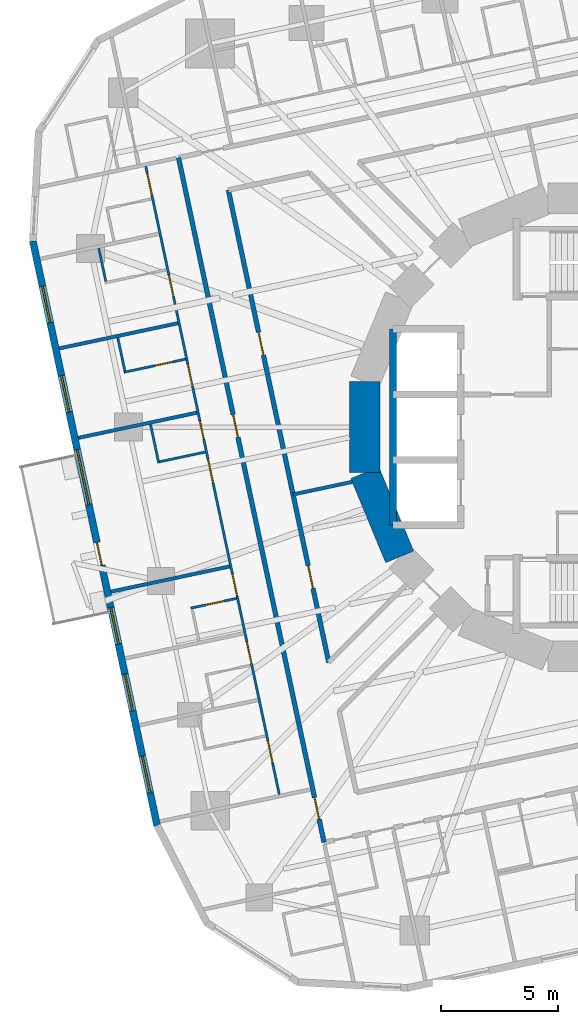
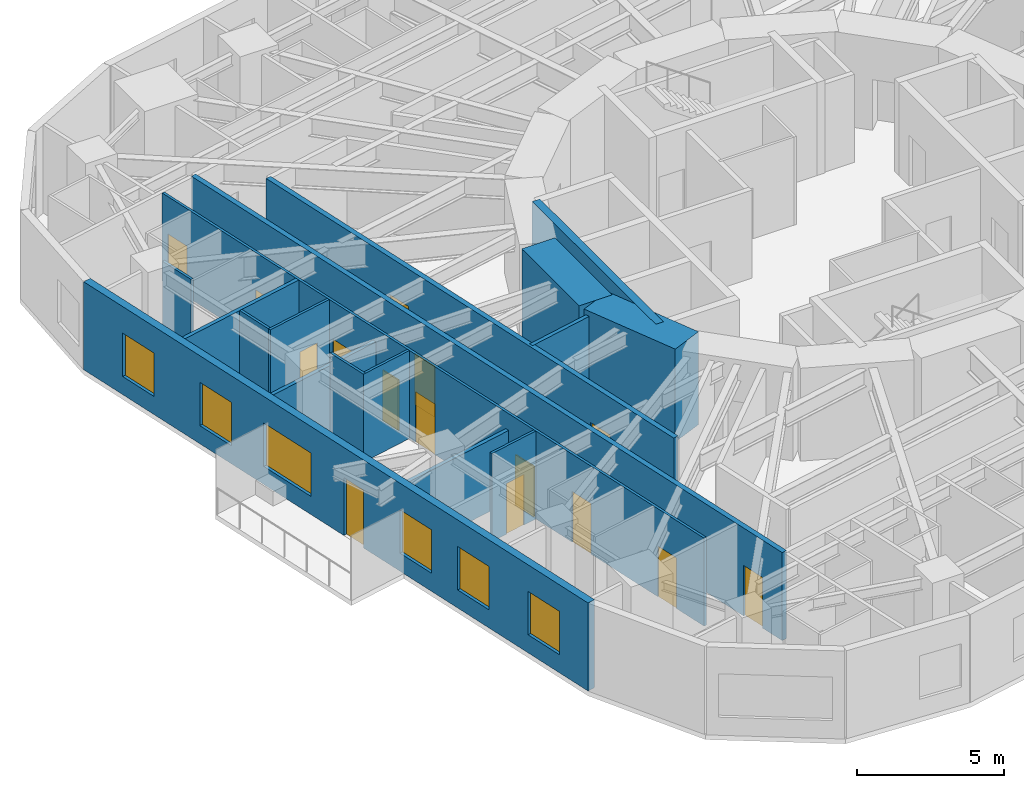
# One storey, part 6 of 14: 17 walls, 15 doors, 6 windows, 21 openings.
"""IFC4 building model written with IfcOpenShell, lengths in metres."""

from ifc_helpers import new_model, si_unit, direction, frame, frame_2d, origin, place, context, subcontext, project, spatial, rectangle, extrude, material, layer, layer_set, type_object, element, fill, save


model = new_model("IFC4")

# Units and contexts
model_context = context("Model", 3, precision=1e-05, world=origin(), true_north=direction((0.0, 1.0)))
body_context = subcontext(model_context, "Body", "Model", "MODEL_VIEW")
ifc_project = project(units=[si_unit("LENGTHUNIT", "METRE"), si_unit("AREAUNIT", "SQUARE_METRE"), si_unit("VOLUMEUNIT", "CUBIC_METRE"), si_unit("PLANEANGLEUNIT", "RADIAN"), si_unit("MASSUNIT", "GRAM", prefix="KILO")], contexts=[model_context])

# Site, building, storey
site_placement = place(None, origin())
site = spatial("IfcSite", under=ifc_project, at=site_placement, CompositionType="ELEMENT")
building_placement = place(site_placement, origin())
building = spatial("IfcBuilding", under=site, at=building_placement, Name="Nakasero Lantern House", CompositionType="ELEMENT")
storey_placement = place(building_placement, frame((0.0, 0.0, 105.0)))
storey = spatial("IfcBuildingStorey", under=building, at=storey_placement, Name="L25", CompositionType="ELEMENT", Elevation=105.0)

# Wall, openings, doors
ifc_material_1 = material(Name="Blockwork", Category="masonry")
ifc_layer_1 = layer(ifc_material_1, 0.10009765625)
ifc_layer_set_1 = layer_set([ifc_layer_1], Name="Cluster hall wall 100")
wall_type_1 = type_object("IfcWallType", Name="Cluster hall wall 100", PredefinedType="PARTITIONING", material=ifc_layer_set_1)
wall_1_placement = place(storey_placement, frame((-19.193603515625, 11.1787109375, 0.0), z_axis=(0.0, 0.0, 1.0), x_axis=(0.207915639441, -0.97814676142, 0.0)))
wall_1 = element("IfcWall", 1, at=wall_1_placement, inside=storey, type_object=wall_type_1, Name="Cluster hall wall L25 HW2-0", PredefinedType="PARTITIONING", context=body_context, shape_type="SweptSolid", body=[
    extrude(rectangle(XDim=27.513427734375, YDim=0.10009765625, at=frame_2d((13.7568359375, 0.0))), origin(), (0.0, 0.0, 1.0), 3.64990234375),
])
opening_1_placement = place(wall_1_placement, frame((12.848876953125, 0.0, 0.0)))
opening_1 = element("IfcOpeningElement", 2, at=opening_1_placement, cuts=wall_1, Name="Opening D03", PredefinedType="OPENING", context=body_context, shape_type="SweptSolid", body=[
    extrude(rectangle(XDim=1.0, YDim=2.10009765625, at=frame_2d((0.5, 1.050048828125))), frame((0.0, 0.070068359375, 0.0), z_axis=(0.0, -1.0, 0.0), x_axis=(1.0, 0.0, 0.0)), (0.0, 0.0, 1.0), 0.14013671875),
])
opening_2_placement = place(wall_1_placement, frame((11.155029296875, 0.0, 0.0)))
opening_2 = element("IfcOpeningElement", 3, at=opening_2_placement, cuts=wall_1, Name="Opening D02", PredefinedType="OPENING", context=body_context, shape_type="SweptSolid", body=[
    extrude(rectangle(XDim=0.800048828125, YDim=2.10009765625, at=frame_2d((0.39990234375, 1.050048828125))), frame((0.0, 0.070068359375, 0.0), z_axis=(0.0, -1.0, 0.0), x_axis=(1.0, 0.0, 0.0)), (0.0, 0.0, 1.0), 0.14013671875),
])
opening_3_placement = place(wall_1_placement, frame((0.300048828125, 0.0, 0.0)))
opening_3 = element("IfcOpeningElement", 4, at=opening_3_placement, cuts=wall_1, Name="Opening D01", PredefinedType="OPENING", context=body_context, shape_type="SweptSolid", body=[
    extrude(rectangle(XDim=0.949951171875, YDim=2.10009765625, at=frame_2d((0.47509765625, 1.050048828125))), frame((0.0, 0.070068359375, 0.0), z_axis=(0.0, -1.0, 0.0), x_axis=(1.0, 0.0, 0.0)), (0.0, 0.0, 1.0), 0.14013671875),
])
opening_4_placement = place(wall_1_placement, frame((4.7412109375, 0.0, 0.0)))
opening_4 = element("IfcOpeningElement", 5, at=opening_4_placement, cuts=wall_1, Name="Opening D01", PredefinedType="OPENING", context=body_context, shape_type="SweptSolid", body=[
    extrude(rectangle(XDim=0.949951171875, YDim=2.10009765625, at=frame_2d((0.47509765625, 1.050048828125))), frame((0.0, 0.070068359375, 0.0), z_axis=(0.0, -1.0, 0.0), x_axis=(1.0, 0.0, 0.0)), (0.0, 0.0, 1.0), 0.14013671875),
])
opening_5_placement = place(wall_1_placement, frame((8.66064453125, 0.0, 0.0)))
opening_5 = element("IfcOpeningElement", 6, at=opening_5_placement, cuts=wall_1, Name="Opening D01", PredefinedType="OPENING", context=body_context, shape_type="SweptSolid", body=[
    extrude(rectangle(XDim=0.949951171875, YDim=2.10009765625, at=frame_2d((0.47509765625, 1.050048828125))), frame((0.0, 0.070068359375, 0.0), z_axis=(0.0, -1.0, 0.0), x_axis=(1.0, 0.0, 0.0)), (0.0, 0.0, 1.0), 0.14013671875),
])
opening_6_placement = place(wall_1_placement, frame((17.892578125, 0.0, 0.0)))
opening_6 = element("IfcOpeningElement", 7, at=opening_6_placement, cuts=wall_1, Name="Opening D01", PredefinedType="OPENING", context=body_context, shape_type="SweptSolid", body=[
    extrude(rectangle(XDim=0.949951171875, YDim=2.10009765625, at=frame_2d((0.47509765625, 1.050048828125))), frame((0.0, 0.070068359375, 0.0), z_axis=(0.0, -1.0, 0.0), x_axis=(1.0, 0.0, 0.0)), (0.0, 0.0, 1.0), 0.14013671875),
])
opening_7_placement = place(wall_1_placement, frame((20.81884765625, 0.0, 0.0)))
opening_7 = element("IfcOpeningElement", 8, at=opening_7_placement, cuts=wall_1, Name="Opening D01", PredefinedType="OPENING", context=body_context, shape_type="SweptSolid", body=[
    extrude(rectangle(XDim=0.949951171875, YDim=2.10009765625, at=frame_2d((0.47509765625, 1.050048828125))), frame((0.0, 0.070068359375, 0.0), z_axis=(0.0, -1.0, 0.0), x_axis=(1.0, 0.0, 0.0)), (0.0, 0.0, 1.0), 0.14013671875),
])
opening_8_placement = place(wall_1_placement, frame((25.17041015625, 0.0, 0.0)))
opening_8 = element("IfcOpeningElement", 9, at=opening_8_placement, cuts=wall_1, Name="Opening D01", PredefinedType="OPENING", context=body_context, shape_type="SweptSolid", body=[
    extrude(rectangle(XDim=0.949951171875, YDim=2.10009765625, at=frame_2d((0.47509765625, 1.050048828125))), frame((0.0, 0.070068359375, 0.0), z_axis=(0.0, -1.0, 0.0), x_axis=(1.0, 0.0, 0.0)), (0.0, 0.0, 1.0), 0.14013671875),
])
ifc_material_2 = material(Name="Timber C24", Category="wood")
door_type_1 = type_object("IfcDoorType", Name="Bedroom door FD30S 950", OperationType="SINGLE_SWING_LEFT", PredefinedType="DOOR", material=ifc_material_2)
door_1_placement = place(opening_3_placement, origin())
door_1 = element("IfcDoor", 10, at=door_1_placement, inside=storey, type_object=door_type_1, Name="Door L25 D2-00", OperationType="SINGLE_SWING_LEFT", OverallHeight=2.10009765625, OverallWidth=0.949951171875, PredefinedType="DOOR", context=body_context, shape_type="SweptSolid", body=[
    extrude(rectangle(XDim=0.949951171875, YDim=2.10009765625, at=frame_2d((0.47509765625, 1.050048828125))), frame((0.0, 0.02490234375, 0.0), z_axis=(0.0, -1.0, 0.0), x_axis=(1.0, 0.0, 0.0)), (0.0, 0.0, 1.0), 0.050048828125),
])
fill(opening_3, door_1)
door_2_placement = place(opening_4_placement, origin())
door_2 = element("IfcDoor", 11, at=door_2_placement, inside=storey, type_object=door_type_1, Name="Door L25 D2-01", OperationType="SINGLE_SWING_LEFT", OverallHeight=2.10009765625, OverallWidth=0.949951171875, PredefinedType="DOOR", context=body_context, shape_type="SweptSolid", body=[
    extrude(rectangle(XDim=0.949951171875, YDim=2.10009765625, at=frame_2d((0.47509765625, 1.050048828125))), frame((0.0, 0.02490234375, 0.0), z_axis=(0.0, -1.0, 0.0), x_axis=(1.0, 0.0, 0.0)), (0.0, 0.0, 1.0), 0.050048828125),
])
fill(opening_4, door_2)
door_3_placement = place(opening_5_placement, origin())
door_3 = element("IfcDoor", 12, at=door_3_placement, inside=storey, type_object=door_type_1, Name="Door L25 D2-02", OperationType="SINGLE_SWING_LEFT", OverallHeight=2.10009765625, OverallWidth=0.949951171875, PredefinedType="DOOR", context=body_context, shape_type="SweptSolid", body=[
    extrude(rectangle(XDim=0.949951171875, YDim=2.10009765625, at=frame_2d((0.47509765625, 1.050048828125))), frame((0.0, 0.02490234375, 0.0), z_axis=(0.0, -1.0, 0.0), x_axis=(1.0, 0.0, 0.0)), (0.0, 0.0, 1.0), 0.050048828125),
])
fill(opening_5, door_3)
door_4_placement = place(opening_6_placement, origin())
door_4 = element("IfcDoor", 13, at=door_4_placement, inside=storey, type_object=door_type_1, Name="Door L25 D2-05", OperationType="SINGLE_SWING_RIGHT", OverallHeight=2.10009765625, OverallWidth=0.949951171875, PredefinedType="DOOR", context=body_context, shape_type="SweptSolid", body=[
    extrude(rectangle(XDim=0.949951171875, YDim=2.10009765625, at=frame_2d((0.47509765625, 1.050048828125))), frame((0.0, 0.02490234375, 0.0), z_axis=(0.0, -1.0, 0.0), x_axis=(1.0, 0.0, 0.0)), (0.0, 0.0, 1.0), 0.050048828125),
])
fill(opening_6, door_4)
door_5_placement = place(opening_7_placement, origin())
door_5 = element("IfcDoor", 14, at=door_5_placement, inside=storey, type_object=door_type_1, Name="Door L25 D2-06", OperationType="SINGLE_SWING_RIGHT", OverallHeight=2.10009765625, OverallWidth=0.949951171875, PredefinedType="DOOR", context=body_context, shape_type="SweptSolid", body=[
    extrude(rectangle(XDim=0.949951171875, YDim=2.10009765625, at=frame_2d((0.47509765625, 1.050048828125))), frame((0.0, 0.02490234375, 0.0), z_axis=(0.0, -1.0, 0.0), x_axis=(1.0, 0.0, 0.0)), (0.0, 0.0, 1.0), 0.050048828125),
])
fill(opening_7, door_5)
door_6_placement = place(opening_8_placement, origin())
door_6 = element("IfcDoor", 15, at=door_6_placement, inside=storey, type_object=door_type_1, Name="Door L25 D2-07", OperationType="SINGLE_SWING_RIGHT", OverallHeight=2.10009765625, OverallWidth=0.949951171875, PredefinedType="DOOR", context=body_context, shape_type="SweptSolid", body=[
    extrude(rectangle(XDim=0.949951171875, YDim=2.10009765625, at=frame_2d((0.47509765625, 1.050048828125))), frame((0.0, 0.02490234375, 0.0), z_axis=(0.0, -1.0, 0.0), x_axis=(1.0, 0.0, 0.0)), (0.0, 0.0, 1.0), 0.050048828125),
])
fill(opening_8, door_6)
ifc_material_3 = material(Name="Timber C24", Category="wood")
door_type_2 = type_object("IfcDoorType", Name="En-suite door 800", OperationType="SINGLE_SWING_RIGHT", PredefinedType="DOOR", material=ifc_material_3)
door_7_placement = place(opening_2_placement, origin())
door_7 = element("IfcDoor", 16, at=door_7_placement, inside=storey, type_object=door_type_2, Name="Door L25 DSH2-0", OperationType="SINGLE_SWING_LEFT", OverallHeight=2.10009765625, OverallWidth=0.800048828125, PredefinedType="DOOR", context=body_context, shape_type="SweptSolid", body=[
    extrude(rectangle(XDim=0.800048828125, YDim=2.10009765625, at=frame_2d((0.39990234375, 1.050048828125))), frame((0.0, 0.02490234375, 0.0), z_axis=(0.0, -1.0, 0.0), x_axis=(1.0, 0.0, 0.0)), (0.0, 0.0, 1.0), 0.050048828125),
])
fill(opening_2, door_7)
ifc_material_4 = material(Name="Timber C24", Category="wood")
door_type_3 = type_object("IfcDoorType", Name="Lounge door FD30S 1000", OperationType="SINGLE_SWING_LEFT", PredefinedType="DOOR", material=ifc_material_4)
door_8_placement = place(opening_1_placement, origin())
door_8 = element("IfcDoor", 17, at=door_8_placement, inside=storey, type_object=door_type_3, Name="Door L25 DH2-0", OperationType="SINGLE_SWING_LEFT", OverallHeight=2.10009765625, OverallWidth=1.0, PredefinedType="DOOR", context=body_context, shape_type="SweptSolid", body=[
    extrude(rectangle(XDim=1.0, YDim=2.10009765625, at=frame_2d((0.5, 1.050048828125))), frame((0.0, 0.02490234375, 0.0), z_axis=(0.0, -1.0, 0.0), x_axis=(1.0, 0.0, 0.0)), (0.0, 0.0, 1.0), 0.050048828125),
])
fill(opening_1, door_8)

# Walls
ifc_material_5 = material(Name="Concrete C50/60", Category="concrete")
ifc_layer_2 = layer(ifc_material_5, 0.300048828125)
ifc_layer_set_2 = layer_set([ifc_layer_2], Name="Core inner wall 300")
wall_type_2 = type_object("IfcWallType", Name="Core inner wall 300", PredefinedType="SHEAR", material=ifc_layer_set_2)
wall_2_placement = place(storey_placement, frame((-8.60009765625, -4.199951171875, 0.0), z_axis=(0.0, 0.0, 1.0), x_axis=(0.0, 1.0, 0.0)))
element("IfcWall", 18, at=wall_2_placement, inside=storey, type_object=wall_type_2, Name="Core inner wall L25 LWB", PredefinedType="SHEAR", context=body_context, shape_type="SweptSolid", body=[
    extrude(rectangle(XDim=8.39990234375, YDim=0.300048828125, at=frame_2d((4.199951171875, 0.0))), origin(), (0.0, 0.0, 1.0), 3.85009765625),
])
ifc_material_6 = material(Name="Concrete C50/60", Category="concrete")
ifc_layer_3 = layer(ifc_material_6, 1.300048828125)
ifc_layer_set_3 = layer_set([ifc_layer_3], Name="Core wall 1300")
wall_type_3 = type_object("IfcWallType", Name="Core wall 1300", PredefinedType="SHEAR", material=ifc_layer_set_3)
for number, where, z_axis, x_axis, name in (
    (19, (-9.807861328125, 1.950927734375, 0.0), (0.0, 0.0, 1.0), (0.0, -1.0, 0.0), "Core wall L25 facet 8"),
    (20, (-9.807861328125, -1.950927734375, 0.0), (0.0, 0.0, 1.0), (0.382690736062, -0.923876507187, 0.0), "Core wall L25 facet 9"),
):
    element("IfcWall", number, at=place(storey_placement, frame(where, z_axis=z_axis, x_axis=x_axis)), inside=storey, type_object=wall_type_3, Name=name, PredefinedType="SHEAR", context=body_context, shape_type="SweptSolid", body=[
        extrude(rectangle(XDim=3.90185546875, YDim=1.300048828125, at=frame_2d((1.950927734375, 0.0))), origin(), (0.0, 0.0, 1.0), 3.85009765625),
    ])

# Wall, openings, doors
ifc_material_7 = material(Name="Blockwork", Category="masonry")
ifc_layer_4 = layer(ifc_material_7, 0.199951171875)
ifc_layer_set_4 = layer_set([ifc_layer_4], Name="Corridor wall 200")
wall_type_4 = type_object("IfcWallType", Name="Corridor wall 200", PredefinedType="PARTITIONING", material=ifc_layer_set_4)
wall_3_placement = place(storey_placement, frame((-17.790771484375, 11.553466796875, 0.0), z_axis=(0.0, 0.0, 1.0), x_axis=(0.207911508826, -0.978147639417, 0.0)))
wall_3 = element("IfcWall", 21, at=wall_3_placement, inside=storey, type_object=wall_type_4, Name="Corridor wall L25 CW2", PredefinedType="PARTITIONING", context=body_context, shape_type="SweptSolid", body=[
    extrude(rectangle(XDim=29.999755859375, YDim=0.199951171875, at=frame_2d((15.0, 0.0))), origin(), (0.0, 0.0, 1.0), 3.64990234375),
])
opening_9_placement = place(wall_3_placement, frame((11.255126953125, 0.0, 0.0)))
opening_9 = element("IfcOpeningElement", 22, at=opening_9_placement, cuts=wall_3, Name="Opening D14", PredefinedType="OPENING", context=body_context, shape_type="SweptSolid", body=[
    extrude(rectangle(XDim=1.0, YDim=2.10009765625, at=frame_2d((0.5, 1.050048828125))), frame((0.0, 0.119873046875, 0.0), z_axis=(0.0, -1.0, 0.0), x_axis=(1.0, 0.0, 0.0)), (0.0, 0.0, 1.0), 0.239990234375),
])
opening_10_placement = place(wall_3_placement, frame((28.038330078125, 0.0, 0.0)))
opening_10 = element("IfcOpeningElement", 23, at=opening_10_placement, cuts=wall_3, Name="Opening D01", PredefinedType="OPENING", context=body_context, shape_type="SweptSolid", body=[
    extrude(rectangle(XDim=0.949951171875, YDim=2.10009765625, at=frame_2d((0.47509765625, 1.050048828125))), frame((0.0, 0.119873046875, 0.0), z_axis=(0.0, -1.0, 0.0), x_axis=(1.0, 0.0, 0.0)), (0.0, 0.0, 1.0), 0.239990234375),
])
door_9_placement = place(opening_10_placement, origin())
door_9 = element("IfcDoor", 24, at=door_9_placement, inside=storey, type_object=door_type_1, Name="Door L25 D2-08", OperationType="SINGLE_SWING_RIGHT", OverallHeight=2.10009765625, OverallWidth=0.949951171875, PredefinedType="DOOR", context=body_context, shape_type="SweptSolid", body=[
    extrude(rectangle(XDim=0.949951171875, YDim=2.10009765625, at=frame_2d((0.47509765625, 1.050048828125))), frame((0.0, 0.02490234375, 0.0), z_axis=(0.0, -1.0, 0.0), x_axis=(1.0, 0.0, 0.0)), (0.0, 0.0, 1.0), 0.050048828125),
])
fill(opening_10, door_9)
ifc_material_8 = material(Name="Timber C24", Category="wood")
door_type_4 = type_object("IfcDoorType", Name="Cluster entrance door FD30S 1000", OperationType="SINGLE_SWING_LEFT", PredefinedType="DOOR", material=ifc_material_8)
door_10_placement = place(opening_9_placement, origin())
door_10 = element("IfcDoor", 25, at=door_10_placement, inside=storey, type_object=door_type_4, Name="Door L25 DF2-0", OperationType="SINGLE_SWING_LEFT", OverallHeight=2.10009765625, OverallWidth=1.0, PredefinedType="DOOR", context=body_context, shape_type="SweptSolid", body=[
    extrude(rectangle(XDim=1.0, YDim=2.10009765625, at=frame_2d((0.5, 1.050048828125))), frame((0.0, 0.02490234375, 0.0), z_axis=(0.0, -1.0, 0.0), x_axis=(1.0, 0.0, 0.0)), (0.0, 0.0, 1.0), 0.050048828125),
])
fill(opening_9, door_10)

wall_4_placement = place(storey_placement, frame((-15.656005859375, 10.1669921875, 0.0), z_axis=(0.0, 0.0, 1.0), x_axis=(0.207919413582, -0.978145959178, 0.0)))
wall_4 = element("IfcWall", 26, at=wall_4_placement, inside=storey, type_object=wall_type_4, Name="Corridor wall L25 IW2-0", PredefinedType="PARTITIONING", context=body_context, shape_type="SweptSolid", body=[
    extrude(rectangle(XDim=20.698974609375, YDim=0.199951171875, at=frame_2d((10.349609375, 0.0))), origin(), (0.0, 0.0, 1.0), 3.64990234375),
])
opening_11_placement = place(wall_4_placement, frame((16.45703125, 0.0, 0.0)))
opening_11 = element("IfcOpeningElement", 27, at=opening_11_placement, cuts=wall_4, Name="Opening D07", PredefinedType="OPENING", context=body_context, shape_type="SweptSolid", body=[
    extrude(rectangle(XDim=1.0, YDim=2.10009765625, at=frame_2d((0.5, 1.050048828125))), frame((0.0, 0.119873046875, 0.0), z_axis=(0.0, -1.0, 0.0), x_axis=(1.0, 0.0, 0.0)), (0.0, 0.0, 1.0), 0.239990234375),
])
opening_12_placement = place(wall_4_placement, frame((6.232421875, 0.0, 0.0)))
opening_12 = element("IfcOpeningElement", 28, at=opening_12_placement, cuts=wall_4, Name="Opening D07", PredefinedType="OPENING", context=body_context, shape_type="SweptSolid", body=[
    extrude(rectangle(XDim=1.0, YDim=2.10009765625, at=frame_2d((0.5, 1.050048828125))), frame((0.0, 0.119873046875, 0.0), z_axis=(0.0, -1.0, 0.0), x_axis=(1.0, 0.0, 0.0)), (0.0, 0.0, 1.0), 0.239990234375),
])
ifc_material_9 = material(Name="Timber C24", Category="wood")
door_type_5 = type_object("IfcDoorType", Name="Room door FD30S 1000", OperationType="SINGLE_SWING_LEFT", PredefinedType="DOOR", material=ifc_material_9)
door_11_placement = place(opening_11_placement, origin())
door_11 = element("IfcDoor", 29, at=door_11_placement, inside=storey, type_object=door_type_5, Name="Door L25 DI1", OperationType="SINGLE_SWING_RIGHT", OverallHeight=2.10009765625, OverallWidth=1.0, PredefinedType="DOOR", context=body_context, shape_type="SweptSolid", body=[
    extrude(rectangle(XDim=1.0, YDim=2.10009765625, at=frame_2d((0.5, 1.050048828125))), frame((0.0, 0.02490234375, 0.0), z_axis=(0.0, -1.0, 0.0), x_axis=(1.0, 0.0, 0.0)), (0.0, 0.0, 1.0), 0.050048828125),
])
fill(opening_11, door_11)
door_12_placement = place(opening_12_placement, origin())
door_12 = element("IfcDoor", 30, at=door_12_placement, inside=storey, type_object=door_type_5, Name="Door L25 DI7", OperationType="SINGLE_SWING_LEFT", OverallHeight=2.10009765625, OverallWidth=1.0, PredefinedType="DOOR", context=body_context, shape_type="SweptSolid", body=[
    extrude(rectangle(XDim=1.0, YDim=2.10009765625, at=frame_2d((0.5, 1.050048828125))), frame((0.0, 0.02490234375, 0.0), z_axis=(0.0, -1.0, 0.0), x_axis=(1.0, 0.0, 0.0)), (0.0, 0.0, 1.0), 0.050048828125),
])
fill(opening_12, door_12)

# Walls
ifc_material_10 = material(Name="Blockwork", Category="masonry")
ifc_layer_5 = layer(ifc_material_10, 0.10009765625)
ifc_layer_set_5 = layer_set([ifc_layer_5], Name="En-suite wall 100")
wall_type_5 = type_object("IfcWallType", Name="En-suite wall 100", PredefinedType="PARTITIONING", material=ifc_layer_set_5)
wall_5_placement = place(storey_placement, frame((-16.642578125, -1.0634765625, 0.0), z_axis=(0.0, 0.0, 1.0), x_axis=(-0.978134617382, -0.207972763311, 0.0)))
element("IfcWall", 31, at=wall_5_placement, inside=storey, type_object=wall_type_5, Name="En-suite wall L25 SS2-0", PredefinedType="PARTITIONING", context=body_context, shape_type="SweptSolid", body=[
    extrude(rectangle(XDim=2.10009765625, YDim=0.10009765625, at=frame_2d((1.050048828125, 0.0))), origin(), (0.0, 0.0, 1.0), 3.64990234375),
])
wall_6_placement = place(storey_placement, frame((-18.99072265625, 0.124267578125, 0.0), z_axis=(0.0, 0.0, 1.0), x_axis=(0.207812379357, -0.978168704767, 0.0)))
element("IfcWall", 32, at=wall_6_placement, inside=storey, type_object=wall_type_5, Name="En-suite wall L25 SE2-0", PredefinedType="PARTITIONING", context=body_context, shape_type="SweptSolid", body=[
    extrude(rectangle(XDim=1.699951171875, YDim=0.10009765625, at=frame_2d((0.85009765625, 0.0))), origin(), (0.0, 0.0, 1.0), 3.64990234375),
])
wall_7_placement = place(storey_placement, frame((-21.20751953125, 7.667236328125, 0.0), z_axis=(0.0, 0.0, 1.0), x_axis=(0.207919161079, -0.978146012851, 0.0)))
element("IfcWall", 33, at=wall_7_placement, inside=storey, type_object=wall_type_5, Name="En-suite wall L25 EE2-01", PredefinedType="PARTITIONING", context=body_context, shape_type="SweptSolid", body=[
    extrude(rectangle(XDim=1.4501953125, YDim=0.10009765625, at=frame_2d((0.72509765625, 0.0))), origin(), (0.0, 0.0, 1.0), 3.64990234375),
])

# Wall, opening, door
wall_8_placement = place(storey_placement, frame((-17.48876953125, 2.9169921875, 0.0), z_axis=(0.0, 0.0, 1.0), x_axis=(-0.978151725935, -0.207892282326, 0.0)))
wall_8 = element("IfcWall", 34, at=wall_8_placement, inside=storey, type_object=wall_type_5, Name="En-suite wall L25 ES2-02", PredefinedType="PARTITIONING", context=body_context, shape_type="SweptSolid", body=[
    extrude(rectangle(XDim=2.699951171875, YDim=0.10009765625, at=frame_2d((1.35009765625, 0.0))), origin(), (0.0, 0.0, 1.0), 3.64990234375),
])
opening_13_placement = place(wall_8_placement, frame((0.550048828125, 0.0, 0.0)))
opening_13 = element("IfcOpeningElement", 35, at=opening_13_placement, cuts=wall_8, Name="Opening D02", PredefinedType="OPENING", context=body_context, shape_type="SweptSolid", body=[
    extrude(rectangle(XDim=0.800048828125, YDim=2.10009765625, at=frame_2d((0.39990234375, 1.050048828125))), frame((0.0, 0.070068359375, 0.0), z_axis=(0.0, -1.0, 0.0), x_axis=(1.0, 0.0, 0.0)), (0.0, 0.0, 1.0), 0.14013671875),
])
door_13_placement = place(opening_13_placement, origin())
door_13 = element("IfcDoor", 36, at=door_13_placement, inside=storey, type_object=door_type_2, Name="Door L25 DE2-02", OperationType="SINGLE_SWING_LEFT", OverallHeight=2.10009765625, OverallWidth=0.800048828125, PredefinedType="DOOR", context=body_context, shape_type="SweptSolid", body=[
    extrude(rectangle(XDim=0.800048828125, YDim=2.10009765625, at=frame_2d((0.39990234375, 1.050048828125))), frame((0.0, 0.02490234375, 0.0), z_axis=(0.0, -1.0, 0.0), x_axis=(1.0, 0.0, 0.0)), (0.0, 0.0, 1.0), 0.050048828125),
])
fill(opening_13, door_13)

# Wall
wall_9_placement = place(storey_placement, frame((-20.392578125, 3.833251953125, 0.0), z_axis=(0.0, 0.0, 1.0), x_axis=(0.207953405961, -0.978138732977, 0.0)))
element("IfcWall", 37, at=wall_9_placement, inside=storey, type_object=wall_type_5, Name="En-suite wall L25 EE2-02", PredefinedType="PARTITIONING", context=body_context, shape_type="SweptSolid", body=[
    extrude(rectangle(XDim=1.449951171875, YDim=0.10009765625, at=frame_2d((0.72509765625, 0.0))), origin(), (0.0, 0.0, 1.0), 3.64990234375),
])

# Wall, opening, door
wall_10_placement = place(storey_placement, frame((-15.30908203125, -7.337158203125, 0.0), z_axis=(0.0, 0.0, 1.0), x_axis=(-0.978152955943, -0.207886494942, 0.0)))
wall_10 = element("IfcWall", 38, at=wall_10_placement, inside=storey, type_object=wall_type_5, Name="En-suite wall L25 ES2-05", PredefinedType="PARTITIONING", context=body_context, shape_type="SweptSolid", body=[
    extrude(rectangle(XDim=2.0, YDim=0.10009765625, at=frame_2d((1.0, 0.0))), origin(), (0.0, 0.0, 1.0), 3.64990234375),
])
opening_14_placement = place(wall_10_placement, frame((0.550048828125, 0.0, 0.0)))
opening_14 = element("IfcOpeningElement", 39, at=opening_14_placement, cuts=wall_10, Name="Opening D02", PredefinedType="OPENING", context=body_context, shape_type="SweptSolid", body=[
    extrude(rectangle(XDim=0.800048828125, YDim=2.10009765625, at=frame_2d((0.39990234375, 1.050048828125))), frame((0.0, 0.070068359375, 0.0), z_axis=(0.0, -1.0, 0.0), x_axis=(1.0, 0.0, 0.0)), (0.0, 0.0, 1.0), 0.14013671875),
])
door_14_placement = place(opening_14_placement, origin())
door_14 = element("IfcDoor", 40, at=door_14_placement, inside=storey, type_object=door_type_2, Name="Door L25 DE2-05", OperationType="SINGLE_SWING_LEFT", OverallHeight=2.10009765625, OverallWidth=0.800048828125, PredefinedType="DOOR", context=body_context, shape_type="SweptSolid", body=[
    extrude(rectangle(XDim=0.800048828125, YDim=2.10009765625, at=frame_2d((0.39990234375, 1.050048828125))), frame((0.0, 0.02490234375, 0.0), z_axis=(0.0, -1.0, 0.0), x_axis=(1.0, 0.0, 0.0)), (0.0, 0.0, 1.0), 0.050048828125),
])
fill(opening_14, door_14)

# Wall, openings, door, windows
ifc_material_11 = material(Name="Aluminium rainscreen on blockwork", Category="masonry")
ifc_layer_6 = layer(ifc_material_11, 0.300048828125)
ifc_layer_set_6 = layer_set([ifc_layer_6], Name="Facade wall 300")
wall_type_6 = type_object("IfcWallType", Name="Facade wall 300", PredefinedType="SOLIDWALL", material=ifc_layer_set_6)
wall_11_placement = place(storey_placement, frame((-24.03369140625, 7.9775390625, 0.0), z_axis=(0.0, 0.0, 1.0), x_axis=(0.207909055127, -0.978148160964, 0.0)))
wall_11 = element("IfcWall", 41, at=wall_11_placement, inside=storey, type_object=wall_type_6, Name="Facade wall L25 FW2S", PredefinedType="SOLIDWALL", context=body_context, shape_type="SweptSolid", body=[
    extrude(rectangle(XDim=25.60009765625, YDim=0.300048828125, at=frame_2d((12.800048828125, 0.0))), origin(), (0.0, 0.0, 1.0), 3.64990234375),
])
opening_15_placement = place(wall_11_placement, frame((1.975830078125, 0.0, 0.75)))
opening_15 = element("IfcOpeningElement", 42, at=opening_15_placement, cuts=wall_11, Name="Opening W01", PredefinedType="OPENING", context=body_context, shape_type="SweptSolid", body=[
    extrude(rectangle(XDim=1.60009765625, YDim=1.800048828125, at=frame_2d((0.800048828125, 0.89990234375))), frame((0.0, 0.169921875, 0.0), z_axis=(0.0, -1.0, 0.0), x_axis=(1.0, 0.0, 0.0)), (0.0, 0.0, 1.0), 0.340087890625),
])
opening_16_placement = place(wall_11_placement, frame((5.8955078125, 0.0, 0.75)))
opening_16 = element("IfcOpeningElement", 43, at=opening_16_placement, cuts=wall_11, Name="Opening W01", PredefinedType="OPENING", context=body_context, shape_type="SweptSolid", body=[
    extrude(rectangle(XDim=1.60009765625, YDim=1.800048828125, at=frame_2d((0.800048828125, 0.89990234375))), frame((0.0, 0.169921875, 0.0), z_axis=(0.0, -1.0, 0.0), x_axis=(1.0, 0.0, 0.0)), (0.0, 0.0, 1.0), 0.340087890625),
])
opening_17_placement = place(wall_11_placement, frame((16.0556640625, 0.0, 0.75)))
opening_17 = element("IfcOpeningElement", 44, at=opening_17_placement, cuts=wall_11, Name="Opening W01", PredefinedType="OPENING", context=body_context, shape_type="SweptSolid", body=[
    extrude(rectangle(XDim=1.60009765625, YDim=1.800048828125, at=frame_2d((0.800048828125, 0.89990234375))), frame((0.0, 0.169921875, 0.0), z_axis=(0.0, -1.0, 0.0), x_axis=(1.0, 0.0, 0.0)), (0.0, 0.0, 1.0), 0.340087890625),
])
opening_18_placement = place(wall_11_placement, frame((18.982177734375, 0.0, 0.75)))
opening_18 = element("IfcOpeningElement", 45, at=opening_18_placement, cuts=wall_11, Name="Opening W01", PredefinedType="OPENING", context=body_context, shape_type="SweptSolid", body=[
    extrude(rectangle(XDim=1.60009765625, YDim=1.800048828125, at=frame_2d((0.800048828125, 0.89990234375))), frame((0.0, 0.169921875, 0.0), z_axis=(0.0, -1.0, 0.0), x_axis=(1.0, 0.0, 0.0)), (0.0, 0.0, 1.0), 0.340087890625),
])
opening_19_placement = place(wall_11_placement, frame((22.554443359375, 0.0, 0.75)))
opening_19 = element("IfcOpeningElement", 46, at=opening_19_placement, cuts=wall_11, Name="Opening W01", PredefinedType="OPENING", context=body_context, shape_type="SweptSolid", body=[
    extrude(rectangle(XDim=1.60009765625, YDim=1.800048828125, at=frame_2d((0.800048828125, 0.89990234375))), frame((0.0, 0.169921875, 0.0), z_axis=(0.0, -1.0, 0.0), x_axis=(1.0, 0.0, 0.0)), (0.0, 0.0, 1.0), 0.340087890625),
])
opening_20_placement = place(wall_11_placement, frame((9.139404296875, 0.0, 0.75)))
opening_20 = element("IfcOpeningElement", 47, at=opening_20_placement, cuts=wall_11, Name="Opening W03", PredefinedType="OPENING", context=body_context, shape_type="SweptSolid", body=[
    extrude(rectangle(XDim=2.39990234375, YDim=1.800048828125, at=frame_2d((1.199951171875, 0.89990234375))), frame((0.0, 0.169921875, 0.0), z_axis=(0.0, -1.0, 0.0), x_axis=(1.0, 0.0, 0.0)), (0.0, 0.0, 1.0), 0.340087890625),
])
opening_21_placement = place(wall_11_placement, frame((13.208251953125, 0.0, 0.0)))
opening_21 = element("IfcOpeningElement", 48, at=opening_21_placement, cuts=wall_11, Name="Opening D04", PredefinedType="OPENING", context=body_context, shape_type="SweptSolid", body=[
    extrude(rectangle(XDim=1.0, YDim=2.39990234375, at=frame_2d((0.5, 1.199951171875))), frame((0.0, 0.169921875, 0.0), z_axis=(0.0, -1.0, 0.0), x_axis=(1.0, 0.0, 0.0)), (0.0, 0.0, 1.0), 0.340087890625),
])
ifc_material_12 = material(Name="Aluminium 6063-T6 and glass", Category="aluminium")
door_type_6 = type_object("IfcDoorType", Name="Balcony door 1000x2400", OperationType="SINGLE_SWING_RIGHT", PredefinedType="DOOR", material=ifc_material_12)
door_15_placement = place(opening_21_placement, origin())
door_15 = element("IfcDoor", 49, at=door_15_placement, inside=storey, type_object=door_type_6, Name="Balcony door L25 DB2", OperationType="SINGLE_SWING_RIGHT", OverallHeight=2.39990234375, OverallWidth=1.0, PredefinedType="DOOR", context=body_context, shape_type="SweptSolid", body=[
    extrude(rectangle(XDim=1.0, YDim=2.39990234375, at=frame_2d((0.5, 1.199951171875))), frame((0.0, 0.02490234375, 0.0), z_axis=(0.0, -1.0, 0.0), x_axis=(1.0, 0.0, 0.0)), (0.0, 0.0, 1.0), 0.050048828125),
])
fill(opening_21, door_15)
ifc_material_13 = material(Name="Aluminium 6063-T6 and glass", Category="aluminium")
window_type_1 = type_object("IfcWindowType", Name="Bedroom window 1600x1800", PartitioningType="SINGLE_PANEL", PredefinedType="WINDOW", material=ifc_material_13)
window_1_placement = place(opening_15_placement, origin())
window_1 = element("IfcWindow", 50, at=window_1_placement, inside=storey, type_object=window_type_1, Name="Window L25 WN2-01", OverallHeight=1.800048828125, OverallWidth=1.60009765625, PartitioningType="SINGLE_PANEL", PredefinedType="WINDOW", context=body_context, shape_type="SweptSolid", body=[
    extrude(rectangle(XDim=1.60009765625, YDim=1.800048828125, at=frame_2d((0.800048828125, 0.89990234375))), frame((0.0, 0.030029296875, 0.0), z_axis=(0.0, -1.0, 0.0), x_axis=(1.0, 0.0, 0.0)), (0.0, 0.0, 1.0), 0.06005859375),
])
fill(opening_15, window_1)
window_2_placement = place(opening_16_placement, origin())
window_2 = element("IfcWindow", 51, at=window_2_placement, inside=storey, type_object=window_type_1, Name="Window L25 WN2-02", OverallHeight=1.800048828125, OverallWidth=1.60009765625, PartitioningType="SINGLE_PANEL", PredefinedType="WINDOW", context=body_context, shape_type="SweptSolid", body=[
    extrude(rectangle(XDim=1.60009765625, YDim=1.800048828125, at=frame_2d((0.800048828125, 0.89990234375))), frame((0.0, 0.030029296875, 0.0), z_axis=(0.0, -1.0, 0.0), x_axis=(1.0, 0.0, 0.0)), (0.0, 0.0, 1.0), 0.06005859375),
])
fill(opening_16, window_2)
window_3_placement = place(opening_17_placement, origin())
window_3 = element("IfcWindow", 52, at=window_3_placement, inside=storey, type_object=window_type_1, Name="Window L25 WN2-05", OverallHeight=1.800048828125, OverallWidth=1.60009765625, PartitioningType="SINGLE_PANEL", PredefinedType="WINDOW", context=body_context, shape_type="SweptSolid", body=[
    extrude(rectangle(XDim=1.60009765625, YDim=1.800048828125, at=frame_2d((0.800048828125, 0.89990234375))), frame((0.0, 0.030029296875, 0.0), z_axis=(0.0, -1.0, 0.0), x_axis=(1.0, 0.0, 0.0)), (0.0, 0.0, 1.0), 0.06005859375),
])
fill(opening_17, window_3)
window_4_placement = place(opening_18_placement, origin())
window_4 = element("IfcWindow", 53, at=window_4_placement, inside=storey, type_object=window_type_1, Name="Window L25 WN2-06", OverallHeight=1.800048828125, OverallWidth=1.60009765625, PartitioningType="SINGLE_PANEL", PredefinedType="WINDOW", context=body_context, shape_type="SweptSolid", body=[
    extrude(rectangle(XDim=1.60009765625, YDim=1.800048828125, at=frame_2d((0.800048828125, 0.89990234375))), frame((0.0, 0.030029296875, 0.0), z_axis=(0.0, -1.0, 0.0), x_axis=(1.0, 0.0, 0.0)), (0.0, 0.0, 1.0), 0.06005859375),
])
fill(opening_18, window_4)
window_5_placement = place(opening_19_placement, origin())
window_5 = element("IfcWindow", 54, at=window_5_placement, inside=storey, type_object=window_type_1, Name="Window L25 WN2-07", OverallHeight=1.800048828125, OverallWidth=1.60009765625, PartitioningType="SINGLE_PANEL", PredefinedType="WINDOW", context=body_context, shape_type="SweptSolid", body=[
    extrude(rectangle(XDim=1.60009765625, YDim=1.800048828125, at=frame_2d((0.800048828125, 0.89990234375))), frame((0.0, 0.030029296875, 0.0), z_axis=(0.0, -1.0, 0.0), x_axis=(1.0, 0.0, 0.0)), (0.0, 0.0, 1.0), 0.06005859375),
])
fill(opening_19, window_5)
ifc_material_14 = material(Name="Aluminium 6063-T6 and glass", Category="aluminium")
window_type_2 = type_object("IfcWindowType", Name="Lounge window 2400x1800", PartitioningType="SINGLE_PANEL", PredefinedType="WINDOW", material=ifc_material_14)
window_6_placement = place(opening_20_placement, origin())
window_6 = element("IfcWindow", 55, at=window_6_placement, inside=storey, type_object=window_type_2, Name="Window L25 WK2", OverallHeight=1.800048828125, OverallWidth=2.39990234375, PartitioningType="SINGLE_PANEL", PredefinedType="WINDOW", context=body_context, shape_type="SweptSolid", body=[
    extrude(rectangle(XDim=2.39990234375, YDim=1.800048828125, at=frame_2d((1.199951171875, 0.89990234375))), frame((0.0, 0.030029296875, 0.0), z_axis=(0.0, -1.0, 0.0), x_axis=(1.0, 0.0, 0.0)), (0.0, 0.0, 1.0), 0.06005859375),
])
fill(opening_20, window_6)

# Walls
ifc_material_15 = material(Name="Blockwork", Category="masonry")
ifc_layer_7 = layer(ifc_material_15, 0.14990234375)
ifc_layer_set_7 = layer_set([ifc_layer_7], Name="Party wall 150")
wall_type_7 = type_object("IfcWallType", Name="Party wall 150", PredefinedType="PARTITIONING", material=ifc_layer_set_7)
wall_12_placement = place(storey_placement, frame((-17.816162109375, 4.45751953125, 0.0), z_axis=(0.0, 0.0, 1.0), x_axis=(-0.978151452323, -0.207893569688, 0.0)))
element("IfcWall", 56, at=wall_12_placement, inside=storey, type_object=wall_type_7, Name="Party wall L25 PW2-02", PredefinedType="PARTITIONING", context=body_context, shape_type="SweptSolid", body=[
    extrude(rectangle(XDim=5.199951171875, YDim=0.14990234375, at=frame_2d((2.60009765625, 0.0))), origin(), (0.0, 0.0, 1.0), 3.64990234375),
])
wall_13_placement = place(storey_placement, frame((-17.001220703125, 0.623779296875, 0.0), z_axis=(0.0, 0.0, 1.0), x_axis=(-0.978141904084, -0.207938489641, 0.0)))
element("IfcWall", 57, at=wall_13_placement, inside=storey, type_object=wall_type_7, Name="Party wall L25 PW2-03", PredefinedType="PARTITIONING", context=body_context, shape_type="SweptSolid", body=[
    extrude(rectangle(XDim=5.2001953125, YDim=0.14990234375, at=frame_2d((2.60009765625, 0.0))), origin(), (0.0, 0.0, 1.0), 3.12158203125),
])
wall_14_placement = place(storey_placement, frame((-15.600341796875, -5.966552734375, 0.0), z_axis=(0.0, 0.0, 1.0), x_axis=(-0.978151452323, -0.207893569688, 0.0)))
element("IfcWall", 58, at=wall_14_placement, inside=storey, type_object=wall_type_7, Name="Party wall L25 PW2-05", PredefinedType="PARTITIONING", context=body_context, shape_type="SweptSolid", body=[
    extrude(rectangle(XDim=5.199951171875, YDim=0.14990234375, at=frame_2d((2.60009765625, 0.0))), origin(), (0.0, 0.0, 1.0), 2.95703125),
])
wall_15_placement = place(storey_placement, frame((-12.88232421875, -2.88134765625, 0.0), z_axis=(0.0, 0.0, 1.0), x_axis=(0.978137762495, 0.207957970708, 0.0)))
element("IfcWall", 59, at=wall_15_placement, inside=storey, type_object=wall_type_7, Name="Party wall L25 IM2", PredefinedType="PARTITIONING", context=body_context, shape_type="SweptSolid", body=[
    extrude(rectangle(XDim=2.58984375, YDim=0.14990234375, at=frame_2d((1.294921875, 0.0))), origin(), (0.0, 0.0, 1.0), 3.64990234375),
])

save(model, "model.ifc")
